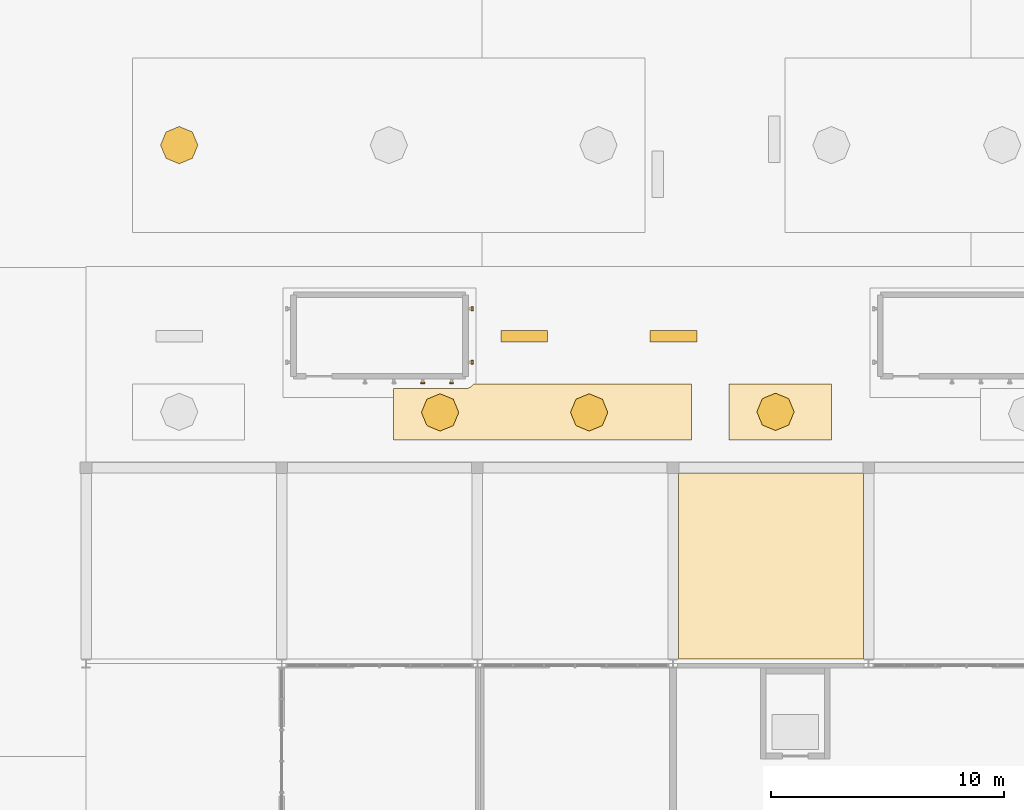
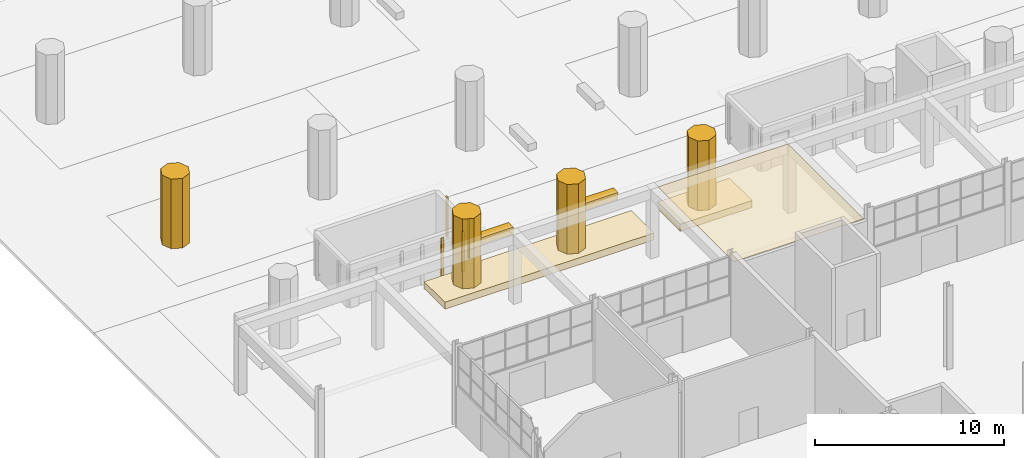
# One storey, part 114 of 127: 9 coverings, 4 shading devices.
"""IFC4 building model written with IfcOpenShell, lengths in metres."""

from ifc_helpers import new_model, si_unit, direction, frame, origin, origin_2d, place, context, subcontext, project, spatial, polyline, rectangle, outline, extrude, material, layer, layer_set, type_object, element, save


model = new_model("IFC4")

# Units and contexts
model_context = context("Model", 3, precision=1e-05, world=origin(), true_north=direction((0.0, 1.0)))
body_context = subcontext(model_context, "Body", "Model", "MODEL_VIEW")
ifc_project = project(units=[si_unit("LENGTHUNIT", "METRE"), si_unit("AREAUNIT", "SQUARE_METRE"), si_unit("VOLUMEUNIT", "CUBIC_METRE"), si_unit("PLANEANGLEUNIT", "RADIAN"), si_unit("MASSUNIT", "GRAM", prefix="KILO")], contexts=[model_context])

# Site, building, storey
site_placement = place(None, origin())
site = spatial("IfcSite", under=ifc_project, at=site_placement, CompositionType="ELEMENT")
building_placement = place(site_placement, origin())
building = spatial("IfcBuilding", under=site, at=building_placement, Name="Ljudholm Concert House", CompositionType="ELEMENT")
storey_placement = place(building_placement, origin())
storey = spatial("IfcBuildingStorey", under=building, at=storey_placement, Name="L00", CompositionType="ELEMENT", Elevation=0.0)

# Covering
ifc_material_1 = material(Name="Aluminium soffit panels, timber-grain PVDF finish", Category="aluminium")
ifc_layer_1 = layer(ifc_material_1, 0.02001953125)
ifc_layer_set_1 = layer_set([ifc_layer_1], Name="Aluminium soffit panels, timber-grain PVDF finish")
covering_type_1 = type_object("IfcCoveringType", Name="ALUMINIUM SOFFIT PANELS, TIMBER-GRAIN PVDF FINISH CEILING 20", PredefinedType="CEILING", material=ifc_layer_set_1)
covering_1_placement = place(storey_placement, frame((0.0, 0.0, 4.47998046875)))
element("IfcCovering", 1, at=covering_1_placement, inside=storey, type_object=covering_type_1, Name="Arcade soffit", PredefinedType="CEILING", context=body_context, shape_type="SweptSolid", body=[
    extrude(outline(polyline([(29.425048828125, 130.186767578125), (37.375, 130.186767578125), (37.375, 138.175048828125), (29.425048828125, 138.175048828125), (29.425048828125, 130.186767578125)])), origin(), (0.0, 0.0, 1.0), 0.02001953125),
])

# Shading devices
ifc_material_2 = material(Name="Aluminium extrusion with timber-grain PVDF finish", Category="aluminium")
shading_device_type = type_object("IfcShadingDeviceType", Name="FACADE FIN 80x160", PredefinedType="SHUTTER", material=ifc_material_2)
for number, where, z_axis, x_axis, name in (
    (2, (18.4560546875, 142.0400390625, 0.099853515625), (0.0, 0.0, 1.0), (0.0, -1.0, 0.0), "Facade fin"),
    (3, (19.695068359375, 142.0400390625, 0.099853515625), (0.0, 0.0, 1.0), (0.0, -1.0, 0.0), "Facade fin"),
    (4, (20.580078125, 142.925048828125, 0.099853515625), (0.0, 0.0, 1.0), (1.0, 0.0, 0.0), "Facade fin"),
    (5, (20.580078125, 145.22509765625, 0.099853515625), (0.0, 0.0, 1.0), (1.0, 0.0, 0.0), "Facade fin"),
):
    element("IfcShadingDevice", number, at=place(storey_placement, frame(where, z_axis=z_axis, x_axis=x_axis)), inside=storey, type_object=shading_device_type, Name=name, PredefinedType="SHUTTER", context=body_context, shape_type="SweptSolid", body=[
        extrude(rectangle(XDim=0.080078125, YDim=0.159912109375, at=origin_2d()), origin(), (0.0, 0.0, 1.0), 2.60009765625),
    ])

# Coverings
ifc_material_3 = material(Name="Planting soil and ground cover")
ifc_layer_2 = layer(ifc_material_3, 0.449951171875)
ifc_layer_set_2 = layer_set([ifc_layer_2], Name="Planting soil and ground cover")
covering_type_2 = type_object("IfcCoveringType", Name="PLANTING SOIL AND GROUND COVER FLOOR FINISH 450", PredefinedType="FLOORING", material=ifc_layer_set_2)
covering_2_placement = place(storey_placement, origin())
element("IfcCovering", 6, at=covering_2_placement, inside=storey, type_object=covering_type_2, Name="Planting bed", PredefinedType="FLOORING", context=body_context, shape_type="SweptSolid", body=[
    extrude(outline(polyline([(17.199951171875, 141.800048828125), (20.334228515625, 141.802001953125), (20.4111328125, 141.817138671875), (20.517333984375, 141.867431640625), (20.65234375, 142.0), (30.0, 142.0), (30.0, 139.60009765625), (17.199951171875, 139.60009765625), (17.199951171875, 141.800048828125)])), origin(), (0.0, 0.0, 1.0), 0.449951171875),
])
covering_3_placement = place(storey_placement, origin())
element("IfcCovering", 7, at=covering_3_placement, inside=storey, type_object=covering_type_2, Name="Planting bed", PredefinedType="FLOORING", context=body_context, shape_type="SweptSolid", body=[
    extrude(outline(polyline([(36.0, 142.0), (36.0, 139.60009765625), (31.60009765625, 139.60009765625), (31.60009765625, 142.0), (36.0, 142.0)])), origin(), (0.0, 0.0, 1.0), 0.449951171875),
])
ifc_material_4 = material(Name="Timber-grain hardwood decking on concrete plinth", Category="concrete")
ifc_layer_3 = layer(ifc_material_4, 0.449951171875)
ifc_layer_set_3 = layer_set([ifc_layer_3], Name="Timber-grain hardwood decking on concrete plinth")
covering_type_3 = type_object("IfcCoveringType", Name="TIMBER-GRAIN HARDWOOD DECKING ON CONCRETE PLINTH FLOOR FINISH 450", PredefinedType="FLOORING", material=ifc_layer_set_3)
covering_4_placement = place(storey_placement, origin())
element("IfcCovering", 8, at=covering_4_placement, inside=storey, type_object=covering_type_3, Name="Timber seating platform", PredefinedType="FLOORING", context=body_context, shape_type="SweptSolid", body=[
    extrude(outline(polyline([(21.820068359375, 143.800048828125), (23.820068359375, 143.800048828125), (23.820068359375, 144.300048828125), (21.820068359375, 144.300048828125), (21.820068359375, 143.800048828125)])), origin(), (0.0, 0.0, 1.0), 0.449951171875),
])
covering_5_placement = place(storey_placement, origin())
element("IfcCovering", 9, at=covering_5_placement, inside=storey, type_object=covering_type_3, Name="Timber seating platform", PredefinedType="FLOORING", context=body_context, shape_type="SweptSolid", body=[
    extrude(outline(polyline([(28.219970703125, 143.800048828125), (30.219970703125, 143.800048828125), (30.219970703125, 144.300048828125), (28.219970703125, 144.300048828125), (28.219970703125, 143.800048828125)])), origin(), (0.0, 0.0, 1.0), 0.449951171875),
])
ifc_material_5 = material(Name="Tree planting")
covering_type_4 = type_object("IfcCoveringType", Name="TREE TRUNK AND CROWN 1600", PredefinedType="USERDEFINED", material=ifc_material_5)
covering_6_placement = place(storey_placement, origin())
element("IfcCovering", 10, at=covering_6_placement, inside=storey, type_object=covering_type_4, Name="Tree", ObjectType="TREE", PredefinedType="USERDEFINED", context=body_context, shape_type="SweptSolid", body=[
    extrude(outline(polyline([(8.800048828125, 152.25), (8.565673828125, 152.815673828125), (8.0, 153.050048828125), (7.434326171875, 152.815673828125), (7.199951171875, 152.25), (7.434326171875, 151.684326171875), (8.0, 151.449951171875), (8.565673828125, 151.684326171875), (8.800048828125, 152.25)])), origin(), (0.0, 0.0, 1.0), 4.5),
])
covering_7_placement = place(storey_placement, frame((0.0, 0.0, 0.449951171875)))
element("IfcCovering", 11, at=covering_7_placement, inside=storey, type_object=covering_type_4, Name="Tree", ObjectType="TREE", PredefinedType="USERDEFINED", context=body_context, shape_type="SweptSolid", body=[
    extrude(outline(polyline([(20.0, 140.775634765625), (19.765625, 141.34130859375), (19.199951171875, 141.57568359375), (18.63427734375, 141.34130859375), (18.39990234375, 140.775634765625), (18.63427734375, 140.2099609375), (19.199951171875, 139.9755859375), (19.765625, 140.2099609375), (20.0, 140.775634765625)])), origin(), (0.0, 0.0, 1.0), 4.5),
])
covering_8_placement = place(storey_placement, frame((0.0, 0.0, 0.449951171875)))
element("IfcCovering", 12, at=covering_8_placement, inside=storey, type_object=covering_type_4, Name="Tree", ObjectType="TREE", PredefinedType="USERDEFINED", context=body_context, shape_type="SweptSolid", body=[
    extrude(outline(polyline([(26.39990234375, 140.775634765625), (26.165771484375, 141.34130859375), (25.60009765625, 141.57568359375), (25.034423828125, 141.34130859375), (24.800048828125, 140.775634765625), (25.034423828125, 140.2099609375), (25.60009765625, 139.9755859375), (26.165771484375, 140.2099609375), (26.39990234375, 140.775634765625)])), origin(), (0.0, 0.0, 1.0), 4.5),
])
covering_9_placement = place(storey_placement, frame((0.0, 0.0, 0.449951171875)))
element("IfcCovering", 13, at=covering_9_placement, inside=storey, type_object=covering_type_4, Name="Tree", ObjectType="TREE", PredefinedType="USERDEFINED", context=body_context, shape_type="SweptSolid", body=[
    extrude(outline(polyline([(34.39990234375, 140.800048828125), (34.165771484375, 141.36572265625), (33.60009765625, 141.60009765625), (33.034423828125, 141.36572265625), (32.800048828125, 140.800048828125), (33.034423828125, 140.234375), (33.60009765625, 140.0), (34.165771484375, 140.234375), (34.39990234375, 140.800048828125)])), origin(), (0.0, 0.0, 1.0), 4.5),
])

save(model, "model.ifc")
